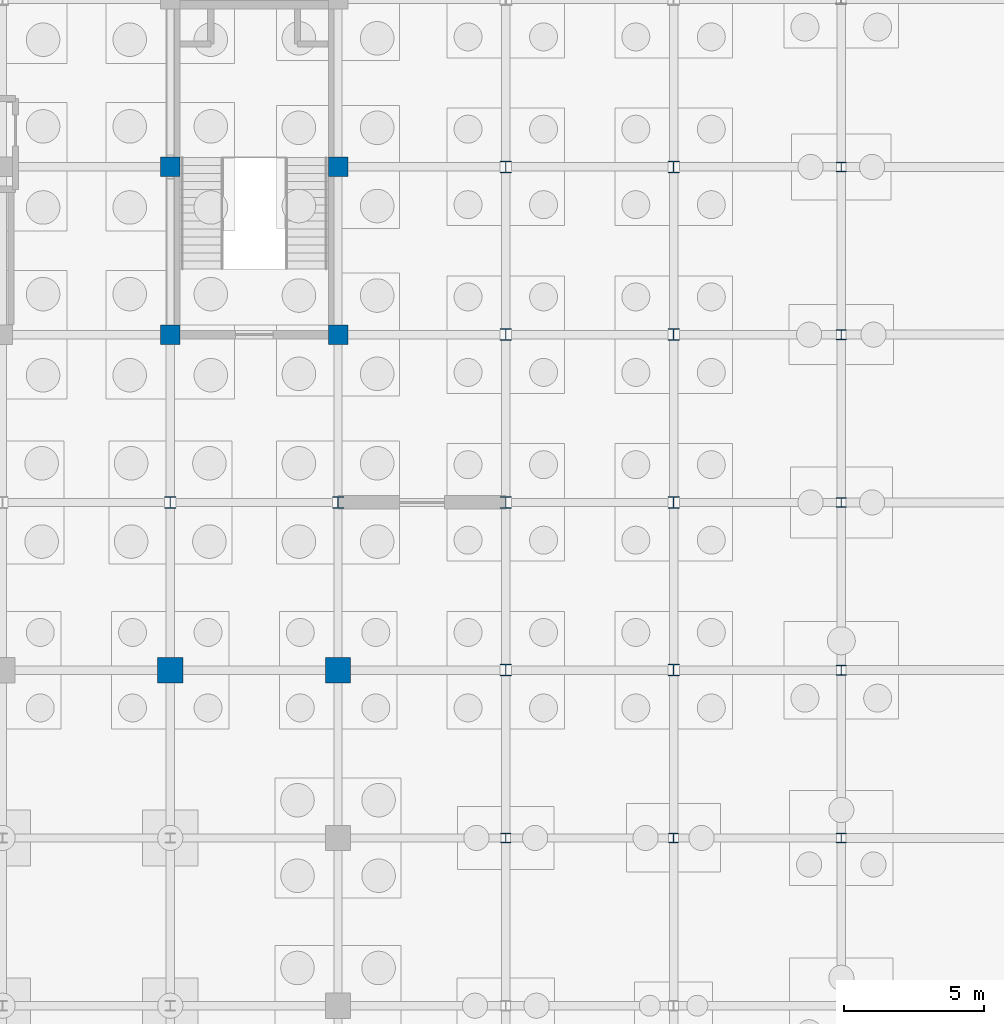
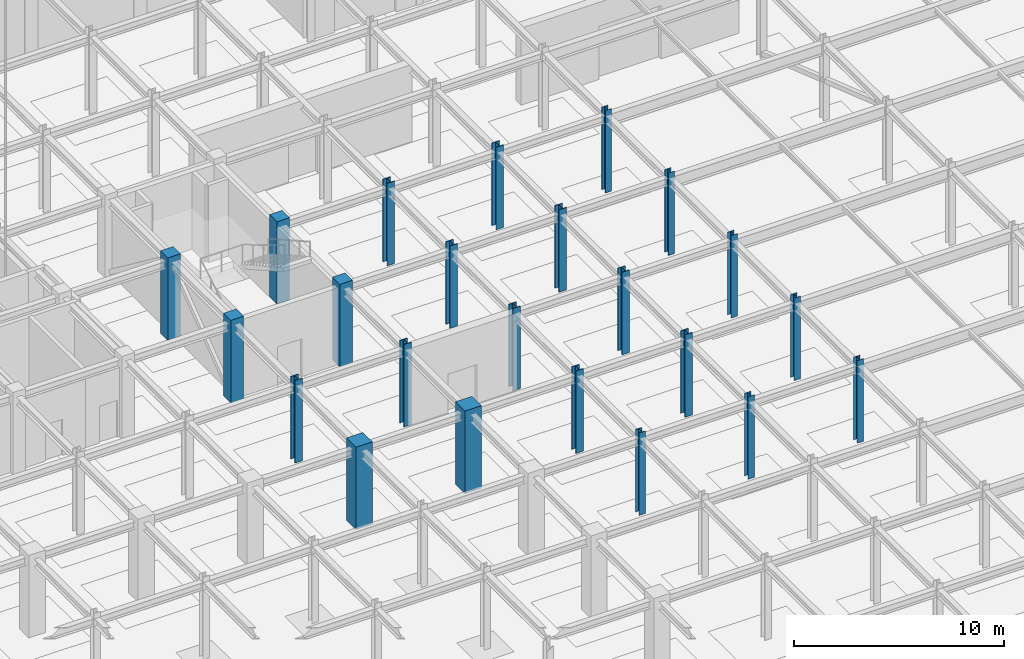
# One storey, part 26 of 69: 23 columns.
"""IFC4 building model written with IfcOpenShell, lengths in metres."""

from ifc_helpers import new_model, si_unit, direction, frame, origin, origin_2d, place, context, subcontext, project, spatial, rectangle, i_section, extrude, material, material_profile, profile_set, type_object, element, save


model = new_model("IFC4")

# Units and contexts
model_context = context("Model", 3, precision=1e-05, world=origin(), true_north=direction((0.0, 1.0)))
body_context = subcontext(model_context, "Body", "Model", "MODEL_VIEW")
ifc_project = project(units=[si_unit("LENGTHUNIT", "METRE"), si_unit("AREAUNIT", "SQUARE_METRE"), si_unit("VOLUMEUNIT", "CUBIC_METRE"), si_unit("PLANEANGLEUNIT", "RADIAN"), si_unit("MASSUNIT", "GRAM", prefix="KILO")], contexts=[model_context])

# Site, building, storey
site_placement = place(None, origin())
site = spatial("IfcSite", under=ifc_project, at=site_placement, CompositionType="ELEMENT")
building_placement = place(site_placement, origin())
building = spatial("IfcBuilding", under=site, at=building_placement, Name="Zlatovratsky Civic Hall", CompositionType="ELEMENT")
storey_placement = place(building_placement, frame((0.0, 0.0, -4.800048828125)))
storey = spatial("IfcBuildingStorey", under=building, at=storey_placement, Name="B1", CompositionType="ELEMENT", Elevation=-4.800048828125)

# Columns
ifc_material_1 = material(Name="Concrete C35/45 (B40)", Category="concrete")
ifc_material_profile_1 = material_profile(ifc_material_1, rectangle(XDim=0.89990234375, YDim=0.89990234375, at=origin_2d()), Name="RC 900x900")
ifc_profile_set_1 = profile_set([ifc_material_profile_1], Name="Concrete C35/45 (B40)")
column_type_1 = type_object("IfcColumnType", Name="Col_ChamberPier_RC900", PredefinedType="COLUMN", material=ifc_profile_set_1)
for number, where, z_axis, x_axis, name in (
    (1, (96.0, 72.0, 0.0), (0.0, 0.0, 1.0), (1.0, 0.0, 0.0), "CL-0246"),
    (2, (102.0, 72.0, 0.0), (0.0, 0.0, 1.0), (1.0, 0.0, 0.0), "CL-0247"),
):
    element("IfcColumn", number, at=place(storey_placement, frame(where, z_axis=z_axis, x_axis=x_axis)), inside=storey, type_object=column_type_1, Name=name, PredefinedType="COLUMN", context=body_context, shape_type="SweptSolid", body=[
        extrude(rectangle(XDim=0.89990234375, YDim=0.89990234375, at=origin_2d()), origin(), (0.0, 0.0, 1.0), 4.800048828125),
    ])
ifc_material_profile_2 = material_profile(ifc_material_1, rectangle(XDim=0.699951171875, YDim=0.699951171875, at=origin_2d()), Name="RC 700x700")
ifc_profile_set_2 = profile_set([ifc_material_profile_2], Name="Concrete C35/45 (B40)")
column_type_2 = type_object("IfcColumnType", Name="Col_CorePier_RC700", PredefinedType="COLUMN", material=ifc_profile_set_2)
for number, where, z_axis, x_axis, name in (
    (3, (96.0, 84.0, 0.0), (0.0, 0.0, 1.0), (1.0, 0.0, 0.0), "CL-0292"),
    (4, (102.0, 84.0, 0.0), (0.0, 0.0, 1.0), (1.0, 0.0, 0.0), "CL-0293"),
    (5, (96.0, 90.0, 0.0), (0.0, 0.0, 1.0), (1.0, 0.0, 0.0), "CL-0315"),
    (6, (102.0, 90.0, 0.0), (0.0, 0.0, 1.0), (1.0, 0.0, 0.0), "CL-0316"),
):
    element("IfcColumn", number, at=place(storey_placement, frame(where, z_axis=z_axis, x_axis=x_axis)), inside=storey, type_object=column_type_2, Name=name, PredefinedType="COLUMN", context=body_context, shape_type="SweptSolid", body=[
        extrude(rectangle(XDim=0.699951171875, YDim=0.699951171875, at=origin_2d()), origin(), (0.0, 0.0, 1.0), 4.800048828125),
    ])
ifc_material_2 = material(Name="Steel S355", Category="steel")
ifc_material_profile_3 = material_profile(ifc_material_2, i_section(OverallWidth=0.35009765625, OverallDepth=0.35009765625, WebThickness=0.011962890625, FlangeThickness=0.01904296875, FilletRadius=0.02001953125, at=origin_2d()), Name="35K2")
ifc_profile_set_3 = profile_set([ifc_material_profile_3], Name="Steel S355")
column_type_3 = type_object("IfcColumnType", Name="Col_Steel_35K2", PredefinedType="COLUMN", material=ifc_profile_set_3)
for number, where, z_axis, x_axis, name in (
    (7, (108.0, 66.0, 0.0), (0.0, 0.0, 1.0), (1.0, 0.0, 0.0), "CL-0225"),
    (8, (114.0, 66.0, 0.0), (0.0, 0.0, 1.0), (1.0, 0.0, 0.0), "CL-0226"),
    (9, (120.0, 66.0, 0.0), (0.0, 0.0, 1.0), (1.0, 0.0, 0.0), "CL-0227"),
    (10, (120.0, 72.0, 0.0), (0.0, 0.0, 1.0), (1.0, 0.0, 0.0), "CL-0250"),
    (11, (120.0, 78.0, 0.0), (0.0, 0.0, 1.0), (1.0, 0.0, 0.0), "CL-0273"),
    (12, (120.0, 84.0, 0.0), (0.0, 0.0, 1.0), (1.0, 0.0, 0.0), "CL-0296"),
    (13, (120.0, 90.0, 0.0), (0.0, 0.0, 1.0), (1.0, 0.0, 0.0), "CL-0319"),
):
    element("IfcColumn", number, at=place(storey_placement, frame(where, z_axis=z_axis, x_axis=x_axis)), inside=storey, type_object=column_type_3, Name=name, PredefinedType="COLUMN", context=body_context, shape_type="SweptSolid", body=[
        extrude(i_section(OverallWidth=0.35009765625, OverallDepth=0.35009765625, WebThickness=0.011962890625, FlangeThickness=0.01904296875, FilletRadius=0.02001953125, at=origin_2d()), origin(), (0.0, 0.0, 1.0), 4.800048828125),
    ])
ifc_material_profile_4 = material_profile(ifc_material_2, i_section(OverallWidth=0.408935546875, OverallDepth=0.428955078125, WebThickness=0.02392578125, FlangeThickness=0.035400390625, FilletRadius=0.02197265625, at=origin_2d()), Name="40K5")
ifc_profile_set_4 = profile_set([ifc_material_profile_4], Name="Steel S355")
column_type_4 = type_object("IfcColumnType", Name="Col_Steel_40K5", PredefinedType="COLUMN", material=ifc_profile_set_4)
for number, where, z_axis, x_axis, name in (
    (14, (108.0, 72.0, 0.0), (0.0, 0.0, 1.0), (1.0, 0.0, 0.0), "CL-0248"),
    (15, (114.0, 72.0, 0.0), (0.0, 0.0, 1.0), (1.0, 0.0, 0.0), "CL-0249"),
    (16, (96.0, 78.0, 0.0), (0.0, 0.0, 1.0), (1.0, 0.0, 0.0), "CL-0269"),
    (17, (102.0, 78.0, 0.0), (0.0, 0.0, 1.0), (1.0, 0.0, 0.0), "CL-0270"),
    (18, (108.0, 78.0, 0.0), (0.0, 0.0, 1.0), (1.0, 0.0, 0.0), "CL-0271"),
    (19, (114.0, 78.0, 0.0), (0.0, 0.0, 1.0), (1.0, 0.0, 0.0), "CL-0272"),
    (20, (108.0, 84.0, 0.0), (0.0, 0.0, 1.0), (1.0, 0.0, 0.0), "CL-0294"),
    (21, (114.0, 84.0, 0.0), (0.0, 0.0, 1.0), (1.0, 0.0, 0.0), "CL-0295"),
    (22, (108.0, 90.0, 0.0), (0.0, 0.0, 1.0), (1.0, 0.0, 0.0), "CL-0317"),
    (23, (114.0, 90.0, 0.0), (0.0, 0.0, 1.0), (1.0, 0.0, 0.0), "CL-0318"),
):
    element("IfcColumn", number, at=place(storey_placement, frame(where, z_axis=z_axis, x_axis=x_axis)), inside=storey, type_object=column_type_4, Name=name, PredefinedType="COLUMN", context=body_context, shape_type="SweptSolid", body=[
        extrude(i_section(OverallWidth=0.408935546875, OverallDepth=0.428955078125, WebThickness=0.02392578125, FlangeThickness=0.035400390625, FilletRadius=0.02197265625, at=origin_2d()), origin(), (0.0, 0.0, 1.0), 4.800048828125),
    ])

save(model, "model.ifc")
